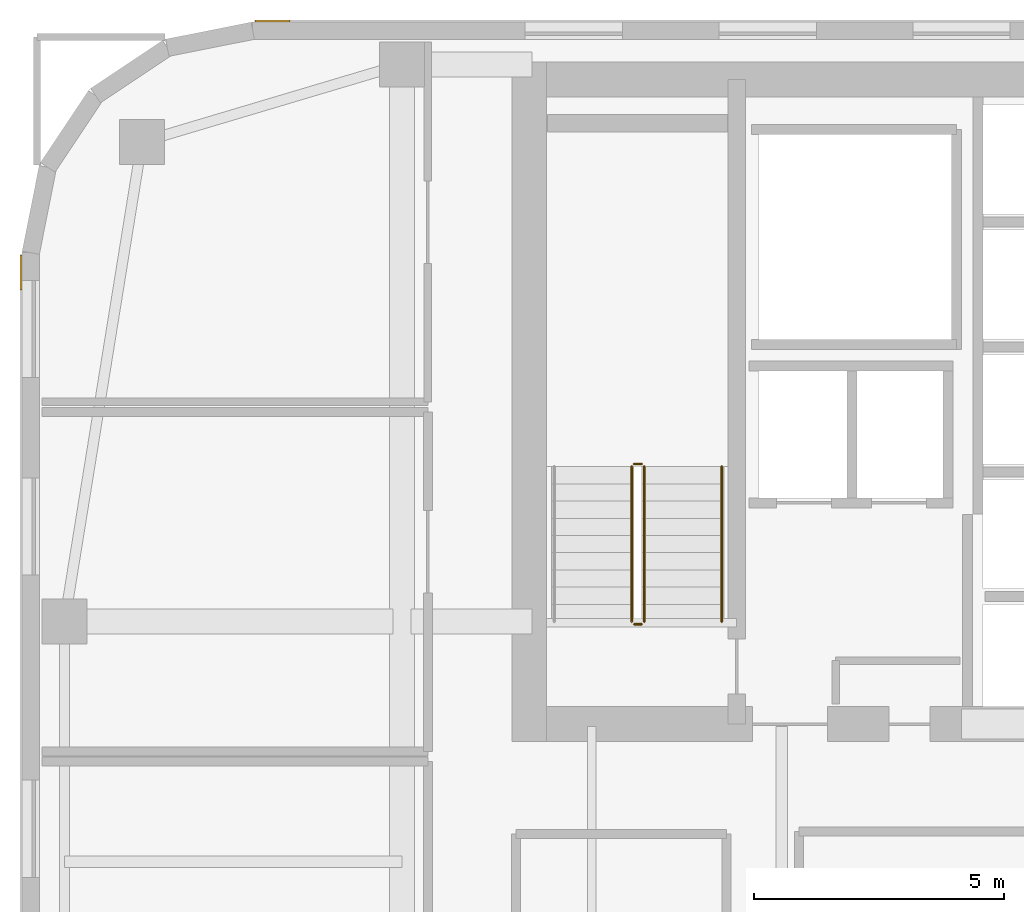
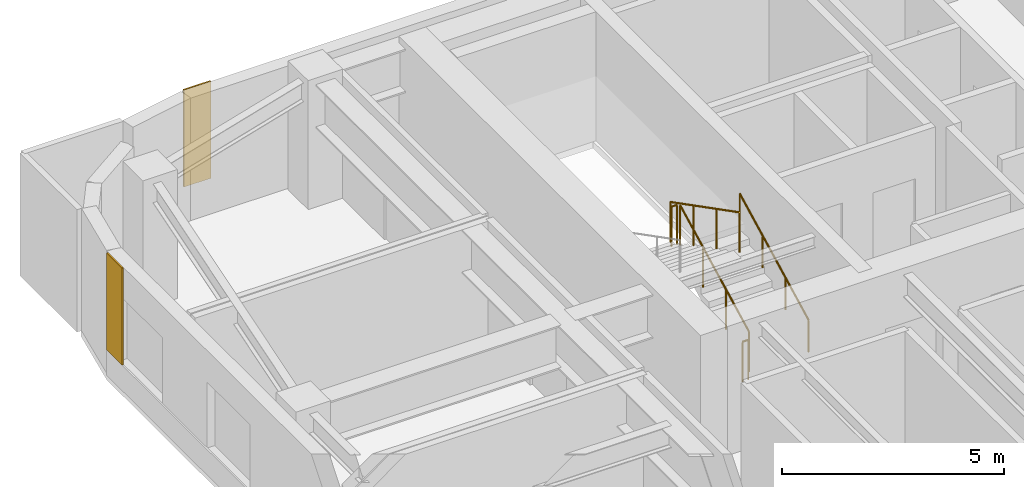
# One storey, part 23 of 25: 5 railings, 2 coverings.
"""IFC4 building model written with IfcOpenShell, lengths in metres."""

from ifc_helpers import new_model, si_unit, direction, frame, origin, origin_2d, place, context, subcontext, project, spatial, polyline, circle, outline, extrude, material, layer, layer_set, type_object, element, save


model = new_model("IFC4")

# Units and contexts
model_context = context("Model", 3, precision=1e-05, world=origin(), true_north=direction((0.0, 1.0)))
body_context = subcontext(model_context, "Body", "Model", "MODEL_VIEW")
ifc_project = project(units=[si_unit("LENGTHUNIT", "METRE"), si_unit("AREAUNIT", "SQUARE_METRE"), si_unit("VOLUMEUNIT", "CUBIC_METRE"), si_unit("PLANEANGLEUNIT", "RADIAN"), si_unit("MASSUNIT", "GRAM", prefix="KILO")], contexts=[model_context])

# Site, building, storey
site_placement = place(None, origin())
site = spatial("IfcSite", under=ifc_project, at=site_placement, CompositionType="ELEMENT")
building_placement = place(site_placement, origin())
building = spatial("IfcBuilding", under=site, at=building_placement, Name="Tolvann Quenvar Hotel", CompositionType="ELEMENT")
storey_placement = place(building_placement, frame((0.0, 0.0, 111.550048828125)))
storey = spatial("IfcBuildingStorey", under=building, at=storey_placement, Name="L28", CompositionType="ELEMENT", Elevation=111.550048828125)

# Coverings
ifc_material_1 = material(Name="Kiln-fired red architectural face brick cladding", Category="masonry")
ifc_layer = layer(ifc_material_1, 0.0400390625)
ifc_layer_set = layer_set([ifc_layer], Name="Kiln-fired red architectural face brick cladding")
covering_type = type_object("IfcCoveringType", Name="COV_CLAD_BRICK_40", PredefinedType="CLADDING", material=ifc_layer_set)
covering_1_placement = place(storey_placement, frame((0.0, 0.0, 0.699951171875)))
element("IfcCovering", 1, at=covering_1_placement, inside=storey, type_object=covering_type, Name="Brick Pier Cladding (L28-E18-P2)", PredefinedType="CLADDING", context=body_context, shape_type="SweptSolid", body=[
    extrude(outline(polyline([(5.3671875, 46.0), (4.667236328125, 46.0), (4.667236328125, 46.0400390625), (5.3671875, 46.0400390625), (5.3671875, 46.0)])), origin(), (0.0, 0.0, 1.0), 2.669921875),
])
covering_2_placement = place(storey_placement, frame((0.0, 0.0, 0.699951171875)))
element("IfcCovering", 2, at=covering_2_placement, inside=storey, type_object=covering_type, Name="Brick Pier Cladding (L28-E23-P1)", PredefinedType="CLADDING", context=body_context, shape_type="SweptSolid", body=[
    extrude(outline(polyline([(0.0, 41.332763671875), (0.0, 40.6328125), (-0.0400390625, 40.6328125), (-0.0400390625, 41.332763671875), (0.0, 41.332763671875)])), origin(), (0.0, 0.0, 1.0), 2.669921875),
])

# Railings
ifc_material_2 = material(Name="Brushed 316 stainless steel balustrade and handrail", Category="steel")
railing_type_1 = type_object("IfcRailingType", Name="GUARDRAIL", PredefinedType="GUARDRAIL", material=ifc_material_2)
railing_1_placement = place(storey_placement, frame((12.449951171875, 34.0, 0.177490234375)))
element("IfcRailing", 3, at=railing_1_placement, inside=storey, type_object=railing_type_1, Name="L28 ST-C1 stair guard 1", PredefinedType="GUARDRAIL", context=body_context, shape_type="SweptSolid", body=[
    extrude(circle(Radius=0.02392578125, at=origin_2d()), frame((0.0, 0.0, 1.09619140625), z_axis=(0.0, 0.889221982265, 0.45747597342), x_axis=(-1.0, 0.0, 0.0)), (0.0, 0.0, 1.0), 3.49169921875),
    extrude(circle(Radius=0.02099609375, at=origin_2d()), origin(), (0.0, 0.0, 1.0), 1.072021484375),
    extrude(circle(Radius=0.02099609375, at=origin_2d()), frame((0.0, 1.034912109375, 0.532470703125)), (0.0, 0.0, 1.0), 1.072021484375),
    extrude(circle(Radius=0.02099609375, at=origin_2d()), frame((0.0, 2.070068359375, 1.06494140625)), (0.0, 0.0, 1.0), 1.072021484375),
    extrude(circle(Radius=0.02099609375, at=origin_2d()), frame((0.0, 3.10498046875, 1.597412109375)), (0.0, 0.0, 1.0), 1.072021484375),
])
railing_2_placement = place(storey_placement, frame((12.39990234375, 37.155029296875, 1.77490234375)))
element("IfcRailing", 4, at=railing_2_placement, inside=storey, type_object=railing_type_1, Name="L28 ST-C1 stair guard 2", PredefinedType="GUARDRAIL", context=body_context, shape_type="SweptSolid", body=[
    extrude(circle(Radius=0.02392578125, at=origin_2d()), frame((0.0, 0.0, 1.09619140625), z_axis=(-1.0, 0.0, 0.0), x_axis=(0.0, -1.0, 0.0)), (0.0, 0.0, 1.0), 0.14990234375),
    extrude(circle(Radius=0.02099609375, at=origin_2d()), origin(), (0.0, 0.0, 1.0), 1.072021484375),
    extrude(circle(Radius=0.02099609375, at=origin_2d()), frame((-0.14990234375, 0.0, 0.0)), (0.0, 0.0, 1.0), 1.072021484375),
])
railing_3_placement = place(storey_placement, frame((12.199951171875, 37.10498046875, 1.952392578125)))
element("IfcRailing", 5, at=railing_3_placement, inside=storey, type_object=railing_type_1, Name="L28 ST-C1 stair guard 3", PredefinedType="GUARDRAIL", context=body_context, shape_type="SweptSolid", body=[
    extrude(circle(Radius=0.02392578125, at=origin_2d()), frame((0.0, 0.0, 1.09619140625), z_axis=(0.0, -0.88919353882, 0.457531256332), x_axis=(1.0, 0.0, 0.0)), (0.0, 0.0, 1.0), 3.491943359375),
    extrude(circle(Radius=0.02099609375, at=origin_2d()), origin(), (0.0, 0.0, 1.0), 1.072021484375),
    extrude(circle(Radius=0.02099609375, at=origin_2d()), frame((0.0, -1.034912109375, 0.532470703125)), (0.0, 0.0, 1.0), 1.072021484375),
    extrude(circle(Radius=0.02099609375, at=origin_2d()), frame((0.0, -2.070068359375, 1.065185546875)), (0.0, 0.0, 1.0), 1.072021484375),
    extrude(circle(Radius=0.02099609375, at=origin_2d()), frame((0.0, -3.10498046875, 1.59765625)), (0.0, 0.0, 1.0), 1.072021484375),
])
railing_4_placement = place(storey_placement, frame((12.39990234375, 33.949951171875, 0.0)))
element("IfcRailing", 6, at=railing_4_placement, inside=storey, type_object=railing_type_1, Name="L28 ST-C1 stair guard 4", PredefinedType="GUARDRAIL", context=body_context, shape_type="SweptSolid", body=[
    extrude(circle(Radius=0.02392578125, at=origin_2d()), frame((0.0, 0.0, 1.09619140625), z_axis=(-1.0, 0.0, 0.0), x_axis=(0.0, -1.0, 0.0)), (0.0, 0.0, 1.0), 0.14990234375),
    extrude(circle(Radius=0.02099609375, at=origin_2d()), origin(), (0.0, 0.0, 1.0), 1.072021484375),
    extrude(circle(Radius=0.02099609375, at=origin_2d()), frame((-0.14990234375, 0.0, 0.0)), (0.0, 0.0, 1.0), 1.072021484375),
])
railing_type_2 = type_object("IfcRailingType", Name="HANDRAIL", PredefinedType="HANDRAIL", material=ifc_material_2)
railing_5_placement = place(storey_placement, frame((14.0, 34.0, 0.177490234375)))
element("IfcRailing", 7, at=railing_5_placement, inside=storey, type_object=railing_type_2, Name="L28 ST-C1 stair handrail 1", PredefinedType="HANDRAIL", context=body_context, shape_type="SweptSolid", body=[
    extrude(circle(Radius=0.02392578125, at=origin_2d()), frame((0.0, 0.0, 0.8759765625), z_axis=(0.0, 0.889221982265, 0.45747597342), x_axis=(-1.0, 0.0, 0.0)), (0.0, 0.0, 1.0), 3.49169921875),
    extrude(circle(Radius=0.02099609375, at=origin_2d()), origin(), (0.0, 0.0, 1.0), 0.851806640625),
    extrude(circle(Radius=0.02099609375, at=origin_2d()), frame((0.0, 1.034912109375, 0.532470703125)), (0.0, 0.0, 1.0), 0.851806640625),
    extrude(circle(Radius=0.02099609375, at=origin_2d()), frame((0.0, 2.070068359375, 1.06494140625)), (0.0, 0.0, 1.0), 0.851806640625),
    extrude(circle(Radius=0.02099609375, at=origin_2d()), frame((0.0, 3.10498046875, 1.597412109375)), (0.0, 0.0, 1.0), 0.851806640625),
])

save(model, "model.ifc")
